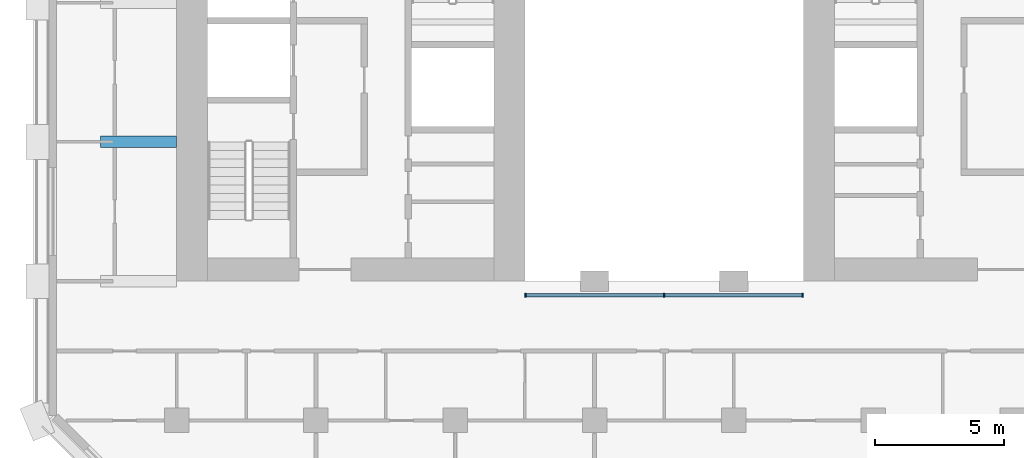
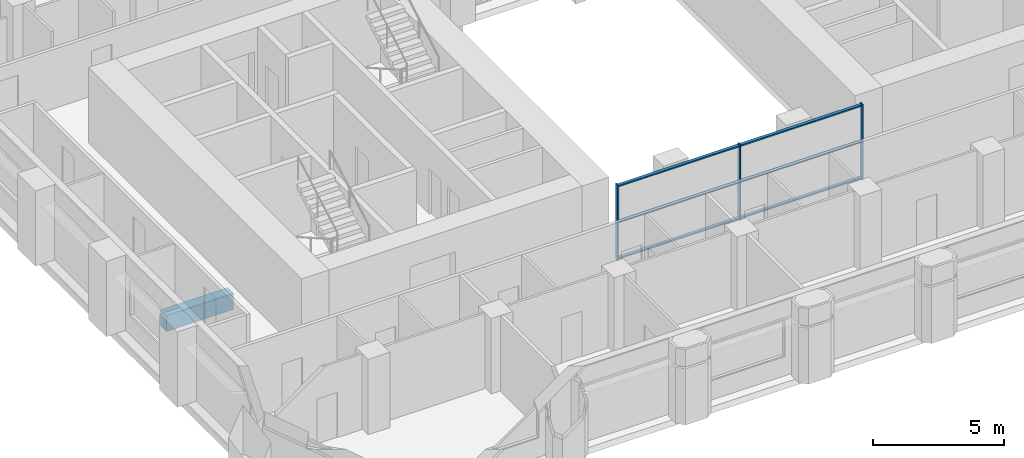
# One storey, part 2 of 13: 9 members, 1 beam, 1 element without a shape of its own.
"""IFC4 building model written with IfcOpenShell, lengths in metres."""

from ifc_helpers import new_model, si_unit, direction, frame, origin, origin_2d, place, context, subcontext, project, spatial, rectangle, extrude, material, material_profile, profile_set, type_object, element, aggregate, save


model = new_model("IFC4")

# Units and contexts
model_context = context("Model", 3, precision=1e-05, world=origin(), true_north=direction((0.0, 1.0)))
body_context = subcontext(model_context, "Body", "Model", "MODEL_VIEW")
ifc_project = project(units=[si_unit("LENGTHUNIT", "METRE"), si_unit("AREAUNIT", "SQUARE_METRE"), si_unit("VOLUMEUNIT", "CUBIC_METRE"), si_unit("PLANEANGLEUNIT", "RADIAN"), si_unit("MASSUNIT", "GRAM", prefix="KILO")], contexts=[model_context])

# Site, building, storey
site_placement = place(None, origin())
site = spatial("IfcSite", under=ifc_project, at=site_placement, CompositionType="ELEMENT")
building_placement = place(site_placement, origin())
building = spatial("IfcBuilding", under=site, at=building_placement, Name="Tabaq Tower and Sports Hall", CompositionType="ELEMENT")
storey_placement = place(building_placement, frame((0.0, 0.0, 110.60009765625)))
storey = spatial("IfcBuildingStorey", under=building, at=storey_placement, Name="L26", CompositionType="ELEMENT", Elevation=110.60009765625)

# Curtain wall, members
ifc_material_1 = material(Name="Aluminium alloy 6063-T6 framed glazing", Category="aluminium")
curtain_wall_type = type_object("IfcCurtainWallType", Name="CW1 curtain wall", PredefinedType="USERDEFINED", material=ifc_material_1)
curtain_wall_placement = place(storey_placement, origin())
curtain_wall = element("IfcCurtainWall", 1, at=curtain_wall_placement, inside=storey, type_object=curtain_wall_type, Name="Atrium glazing L26 S", ObjectType="ATRIUM ENCLOSURE", PredefinedType="USERDEFINED")
ifc_material_2 = material(Name="Aluminium alloy 6063-T6", Category="aluminium")
ifc_material_profile_1 = material_profile(ifc_material_2, rectangle(XDim=0.159912109375, YDim=0.06005859375, at=origin_2d()), Name="MULLION 160x60")
ifc_profile_set_1 = profile_set([ifc_material_profile_1], Name="Aluminium alloy 6063-T6")
member_type_1 = type_object("IfcMemberType", Name="CW1 mullion 160x60", PredefinedType="MULLION", material=ifc_profile_set_1)
member_1_placement = place(storey_placement, frame((18.929931640625, 15.64990234375, 0.0), z_axis=(0.0, 0.0, 1.0), x_axis=(0.0, 1.0, 0.0)))
member_1 = element("IfcMember", 2, at=member_1_placement, type_object=member_type_1, Name="CW1 mullion 1", PredefinedType="MULLION", context=body_context, shape_type="SweptSolid", body=[
    extrude(rectangle(XDim=0.159912109375, YDim=0.06005859375, at=origin_2d()), origin(), (0.0, 0.0, 1.0), 3.5),
])
member_2_placement = place(storey_placement, frame((24.300048828125, 15.64990234375, 0.0), z_axis=(0.0, 0.0, 1.0), x_axis=(0.0, 1.0, 0.0)))
member_2 = element("IfcMember", 3, at=member_2_placement, type_object=member_type_1, Name="CW1 mullion 2", PredefinedType="MULLION", context=body_context, shape_type="SweptSolid", body=[
    extrude(rectangle(XDim=0.159912109375, YDim=0.06005859375, at=origin_2d()), origin(), (0.0, 0.0, 1.0), 3.5),
])
member_3_placement = place(storey_placement, frame((29.669921875, 15.64990234375, 0.0), z_axis=(0.0, 0.0, 1.0), x_axis=(0.0, 1.0, 0.0)))
member_3 = element("IfcMember", 4, at=member_3_placement, type_object=member_type_1, Name="CW1 mullion 3", PredefinedType="MULLION", context=body_context, shape_type="SweptSolid", body=[
    extrude(rectangle(XDim=0.159912109375, YDim=0.06005859375, at=origin_2d()), origin(), (0.0, 0.0, 1.0), 3.5),
])
ifc_material_3 = material(Name="Aluminium alloy 6063-T6", Category="aluminium")
ifc_material_profile_2 = material_profile(ifc_material_3, rectangle(XDim=0.139892578125, YDim=0.06005859375, at=origin_2d()), Name="TRANSOM 140x60")
ifc_profile_set_2 = profile_set([ifc_material_profile_2], Name="Aluminium alloy 6063-T6")
member_type_2 = type_object("IfcMemberType", Name="CW1 transom 140x60", PredefinedType="USERDEFINED", material=ifc_profile_set_2)
member_4_placement = place(storey_placement, frame((18.9599609375, 15.64990234375, 0.06982421875), z_axis=(1.0, 0.0, 0.0), x_axis=(0.0, 1.0, 0.0)))
member_4 = element("IfcMember", 5, at=member_4_placement, type_object=member_type_2, Name="CW1 transom 1.1", ObjectType="TRANSOM", PredefinedType="USERDEFINED", context=body_context, shape_type="SweptSolid", body=[
    extrude(rectangle(XDim=0.139892578125, YDim=0.06005859375, at=origin_2d()), origin(), (0.0, 0.0, 1.0), 5.31005859375),
])
member_5_placement = place(storey_placement, frame((18.9599609375, 15.64990234375, 1.75), z_axis=(1.0, 0.0, 0.0), x_axis=(0.0, 1.0, 0.0)))
member_5 = element("IfcMember", 6, at=member_5_placement, type_object=member_type_2, Name="CW1 transom 1.2", ObjectType="TRANSOM", PredefinedType="USERDEFINED", context=body_context, shape_type="SweptSolid", body=[
    extrude(rectangle(XDim=0.139892578125, YDim=0.06005859375, at=origin_2d()), origin(), (0.0, 0.0, 1.0), 5.31005859375),
])
member_6_placement = place(storey_placement, frame((18.9599609375, 15.64990234375, 3.429931640625), z_axis=(1.0, 0.0, 0.0), x_axis=(0.0, 1.0, 0.0)))
member_6 = element("IfcMember", 7, at=member_6_placement, type_object=member_type_2, Name="CW1 transom 1.3", ObjectType="TRANSOM", PredefinedType="USERDEFINED", context=body_context, shape_type="SweptSolid", body=[
    extrude(rectangle(XDim=0.139892578125, YDim=0.06005859375, at=origin_2d()), origin(), (0.0, 0.0, 1.0), 5.31005859375),
])
member_7_placement = place(storey_placement, frame((24.330078125, 15.64990234375, 0.06982421875), z_axis=(1.0, 0.0, 0.0), x_axis=(0.0, 1.0, 0.0)))
member_7 = element("IfcMember", 8, at=member_7_placement, type_object=member_type_2, Name="CW1 transom 2.1", ObjectType="TRANSOM", PredefinedType="USERDEFINED", context=body_context, shape_type="SweptSolid", body=[
    extrude(rectangle(XDim=0.139892578125, YDim=0.06005859375, at=origin_2d()), origin(), (0.0, 0.0, 1.0), 5.309814453125),
])
member_8_placement = place(storey_placement, frame((24.330078125, 15.64990234375, 1.75), z_axis=(1.0, 0.0, 0.0), x_axis=(0.0, 1.0, 0.0)))
member_8 = element("IfcMember", 9, at=member_8_placement, type_object=member_type_2, Name="CW1 transom 2.2", ObjectType="TRANSOM", PredefinedType="USERDEFINED", context=body_context, shape_type="SweptSolid", body=[
    extrude(rectangle(XDim=0.139892578125, YDim=0.06005859375, at=origin_2d()), origin(), (0.0, 0.0, 1.0), 5.309814453125),
])
member_9_placement = place(storey_placement, frame((24.330078125, 15.64990234375, 3.429931640625), z_axis=(1.0, 0.0, 0.0), x_axis=(0.0, 1.0, 0.0)))
member_9 = element("IfcMember", 10, at=member_9_placement, type_object=member_type_2, Name="CW1 transom 2.3", ObjectType="TRANSOM", PredefinedType="USERDEFINED", context=body_context, shape_type="SweptSolid", body=[
    extrude(rectangle(XDim=0.139892578125, YDim=0.06005859375, at=origin_2d()), origin(), (0.0, 0.0, 1.0), 5.309814453125),
])
aggregate(curtain_wall, [member_1, member_2, member_3, member_4, member_5, member_6, member_7, member_8, member_9])

# Beam
ifc_material_4 = material(Name="Concrete C40/50", Category="concrete")
ifc_material_profile_3 = material_profile(ifc_material_4, rectangle(XDim=0.449951171875, YDim=0.75, at=origin_2d()), Name="CB 450x750")
ifc_profile_set_3 = profile_set([ifc_material_profile_3], Name="Concrete C40/50")
beam_type = type_object("IfcBeamType", Name="PT CANTILEVER BEAM CB 450x750 C40/50", PredefinedType="BEAM", material=ifc_profile_set_3)
beam_placement = place(storey_placement, frame((2.449951171875, 21.60009765625, -0.675048828125), z_axis=(1.0, 0.0, 0.0), x_axis=(0.0, 1.0, 0.0)))
element("IfcBeam", 11, at=beam_placement, inside=storey, type_object=beam_type, Name="Cantilever Beam L26 W4 span 1", PredefinedType="BEAM", context=body_context, shape_type="SweptSolid", body=[
    extrude(rectangle(XDim=0.449951171875, YDim=0.75, at=origin_2d()), origin(), (0.0, 0.0, 1.0), 2.949951171875),
])

save(model, "model.ifc")
